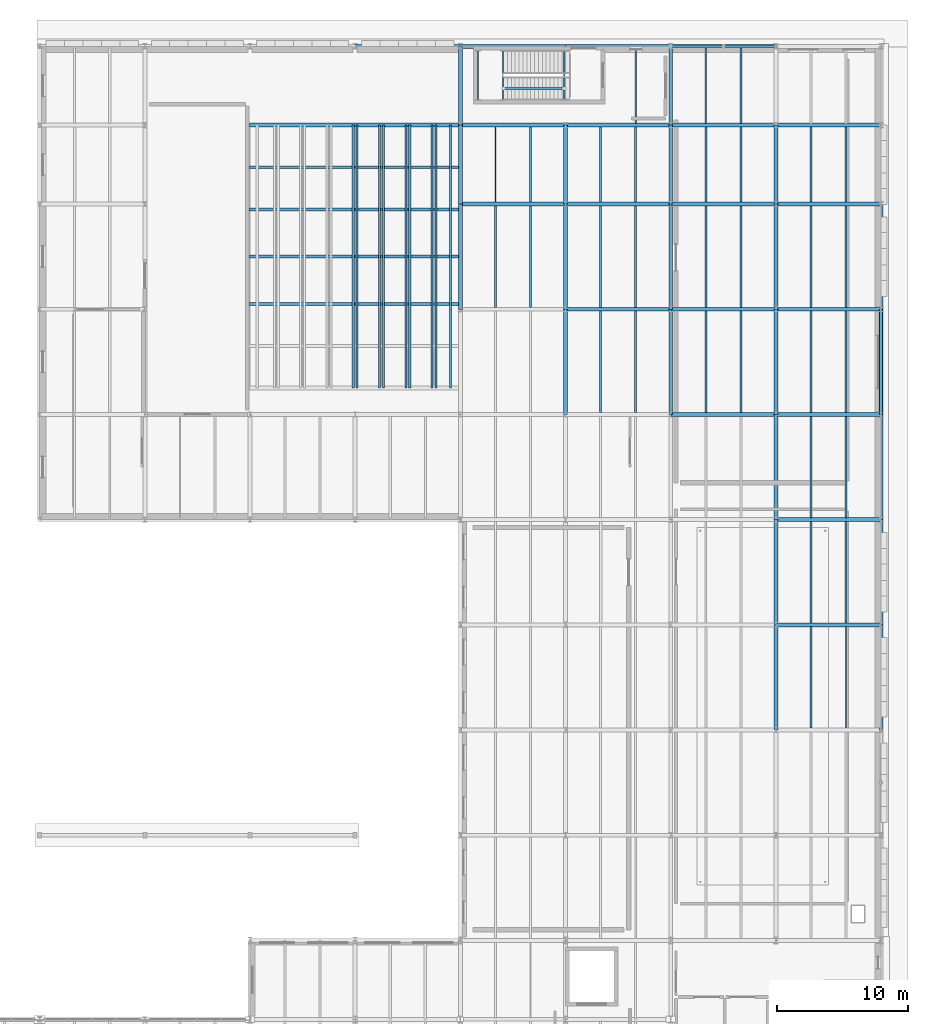
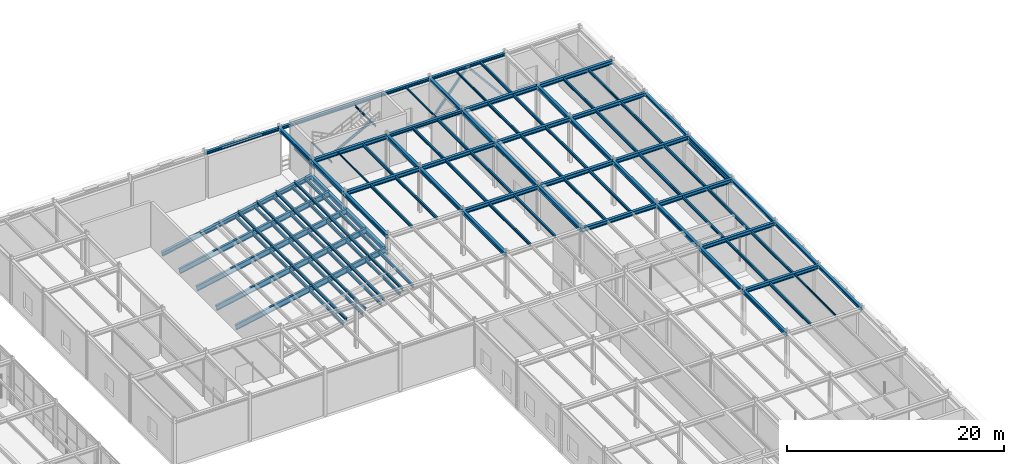
# One storey, part 58 of 129: 91 beams, 3 members.
"""IFC4 building model written with IfcOpenShell, lengths in metres."""

from ifc_helpers import new_model, si_unit, direction, frame, origin, origin_2d, place, context, subcontext, project, spatial, hollow_rectangle, i_section, extrude, material, material_profile, profile_set, type_object, element, save


model = new_model("IFC4")

# Units and contexts
model_context = context("Model", 3, precision=1e-05, world=origin(), true_north=direction((0.0, 1.0)))
body_context = subcontext(model_context, "Body", "Model", "MODEL_VIEW")
ifc_project = project(units=[si_unit("LENGTHUNIT", "METRE"), si_unit("AREAUNIT", "SQUARE_METRE"), si_unit("VOLUMEUNIT", "CUBIC_METRE"), si_unit("PLANEANGLEUNIT", "RADIAN"), si_unit("MASSUNIT", "GRAM", prefix="KILO")], contexts=[model_context])

# Site, building, storey
site_placement = place(None, origin())
site = spatial("IfcSite", under=ifc_project, at=site_placement, CompositionType="ELEMENT")
building_placement = place(site_placement, origin())
building = spatial("IfcBuilding", under=site, at=building_placement, Name="Sundkrona Museum", CompositionType="ELEMENT")
storey_placement = place(building_placement, origin())
storey = spatial("IfcBuildingStorey", under=building, at=storey_placement, Name="L00", CompositionType="ELEMENT", Elevation=0.0)

# Beams
ifc_material = material(Name="Steel S355J2", Category="steel")
ifc_material_profile_1 = material_profile(ifc_material, i_section(OverallWidth=0.300048828125, OverallDepth=0.43994140625, WebThickness=0.011474609375, FlangeThickness=0.02099609375, FilletRadius=0.027099609375, at=origin_2d()), Name="HEA 450")
ifc_profile_set_1 = profile_set([ifc_material_profile_1], Name="Steel S355J2")
beam_type_1 = type_object("IfcBeamType", Name="B-HEA450", PredefinedType="BEAM", material=ifc_profile_set_1)
for number, where, z_axis, x_axis, name in (
    (1, (160.0, 70.0, 4.830078125), (1.0, 0.0, 0.0), (0.0, 1.0, 0.0), "L00 Girder X-0514"),
    (2, (160.0, 78.0, 4.830078125), (1.0, 0.0, 0.0), (0.0, 1.0, 0.0), "L00 Girder X-0534"),
    (3, (152.0, 86.0, 4.830078125), (1.0, 0.0, 0.0), (0.0, 1.0, 0.0), "L00 Girder X-0546"),
    (4, (160.0, 86.0, 4.830078125), (1.0, 0.0, 0.0), (0.0, 1.0, 0.0), "L00 Girder X-0547"),
    (5, (144.0, 94.0, 4.830078125), (1.0, 0.0, 0.0), (0.0, 1.0, 0.0), "L00 Girder X-0562"),
    (6, (152.0, 94.0, 4.830078125), (1.0, 0.0, 0.0), (0.0, 1.0, 0.0), "L00 Girder X-0563"),
    (7, (160.0, 94.0, 4.830078125), (1.0, 0.0, 0.0), (0.0, 1.0, 0.0), "L00 Girder X-0564"),
    (8, (136.0, 102.0, 4.830078125), (1.0, 0.0, 0.0), (0.0, 1.0, 0.0), "L00 Girder X-0578"),
    (9, (144.0, 102.0, 4.830078125), (1.0, 0.0, 0.0), (0.0, 1.0, 0.0), "L00 Girder X-0579"),
    (10, (152.0, 102.0, 4.830078125), (1.0, 0.0, 0.0), (0.0, 1.0, 0.0), "L00 Girder X-0580"),
    (11, (160.0, 102.0, 4.830078125), (1.0, 0.0, 0.0), (0.0, 1.0, 0.0), "L00 Girder X-0581"),
    (12, (136.0, 108.0, 4.830078125), (1.0, 0.0, 0.0), (0.0, 1.0, 0.0), "L00 Girder X-0593"),
    (13, (152.0, 108.0, 4.830078125), (1.0, 0.0, 0.0), (0.0, 1.0, 0.0), "L00 Girder X-0595"),
    (14, (160.0, 108.0, 4.830078125), (1.0, 0.0, 0.0), (0.0, 1.0, 0.0), "L00 Girder X-0596"),
    (15, (136.0, 94.0, 4.830078125), (0.0, 1.0, 0.0), (-1.0, 0.0, 0.0), "L00 Girder Y-0750"),
):
    element("IfcBeam", number, at=place(storey_placement, frame(where, z_axis=z_axis, x_axis=x_axis)), inside=storey, type_object=beam_type_1, Name=name, PredefinedType="BEAM", context=body_context, shape_type="SweptSolid", body=[
        extrude(i_section(OverallWidth=0.300048828125, OverallDepth=0.43994140625, WebThickness=0.011474609375, FlangeThickness=0.02099609375, FilletRadius=0.027099609375, at=origin_2d()), origin(), (0.0, 0.0, 1.0), 8.0),
    ])
for number, where, z_axis, x_axis, name in (
    (16, (136.0, 102.0, 4.830078125), (0.0, 1.0, 0.0), (-1.0, 0.0, 0.0), "L00 Girder Y-0751"),
    (17, (136.0, 108.0, 4.830078125), (0.0, 1.0, 0.0), (-1.0, 0.0, 0.0), "L00 Girder Y-0752"),
):
    element("IfcBeam", number, at=place(storey_placement, frame(where, z_axis=z_axis, x_axis=x_axis)), inside=storey, type_object=beam_type_1, Name=name, PredefinedType="BEAM", context=body_context, shape_type="SweptSolid", body=[
        extrude(i_section(OverallWidth=0.300048828125, OverallDepth=0.43994140625, WebThickness=0.011474609375, FlangeThickness=0.02099609375, FilletRadius=0.027099609375, at=origin_2d()), origin(), (0.0, 0.0, 1.0), 6.0),
    ])
for number, where, z_axis, x_axis, name in (
    (18, (144.0, 86.0, 4.830078125), (0.0, 1.0, 0.0), (-1.0, 0.0, 0.0), "L00 Girder Y-0762"),
    (19, (144.0, 94.0, 4.830078125), (0.0, 1.0, 0.0), (-1.0, 0.0, 0.0), "L00 Girder Y-0763"),
):
    element("IfcBeam", number, at=place(storey_placement, frame(where, z_axis=z_axis, x_axis=x_axis)), inside=storey, type_object=beam_type_1, Name=name, PredefinedType="BEAM", context=body_context, shape_type="SweptSolid", body=[
        extrude(i_section(OverallWidth=0.300048828125, OverallDepth=0.43994140625, WebThickness=0.011474609375, FlangeThickness=0.02099609375, FilletRadius=0.027099609375, at=origin_2d()), origin(), (0.0, 0.0, 1.0), 8.0),
    ])
beam_1_placement = place(storey_placement, frame((144.0, 102.0, 4.830078125), z_axis=(0.0, 1.0, 0.0), x_axis=(-1.0, 0.0, 0.0)))
element("IfcBeam", 20, at=beam_1_placement, inside=storey, type_object=beam_type_1, Name="L00 Girder Y-0764", PredefinedType="BEAM", context=body_context, shape_type="SweptSolid", body=[
    extrude(i_section(OverallWidth=0.300048828125, OverallDepth=0.43994140625, WebThickness=0.011474609375, FlangeThickness=0.02099609375, FilletRadius=0.027099609375, at=origin_2d()), origin(), (0.0, 0.0, 1.0), 6.0),
])
for number, where, z_axis, x_axis, name in (
    (21, (152.0, 86.0, 4.830078125), (0.0, 1.0, 0.0), (-1.0, 0.0, 0.0), "L00 Girder Y-0776"),
    (22, (152.0, 94.0, 4.830078125), (0.0, 1.0, 0.0), (-1.0, 0.0, 0.0), "L00 Girder Y-0777"),
):
    element("IfcBeam", number, at=place(storey_placement, frame(where, z_axis=z_axis, x_axis=x_axis)), inside=storey, type_object=beam_type_1, Name=name, PredefinedType="BEAM", context=body_context, shape_type="SweptSolid", body=[
        extrude(i_section(OverallWidth=0.300048828125, OverallDepth=0.43994140625, WebThickness=0.011474609375, FlangeThickness=0.02099609375, FilletRadius=0.027099609375, at=origin_2d()), origin(), (0.0, 0.0, 1.0), 8.0),
    ])
for number, where, z_axis, x_axis, name in (
    (23, (152.0, 102.0, 4.830078125), (0.0, 1.0, 0.0), (-1.0, 0.0, 0.0), "L00 Girder Y-0778"),
    (24, (152.0, 108.0, 4.830078125), (0.0, 1.0, 0.0), (-1.0, 0.0, 0.0), "L00 Girder Y-0779"),
):
    element("IfcBeam", number, at=place(storey_placement, frame(where, z_axis=z_axis, x_axis=x_axis)), inside=storey, type_object=beam_type_1, Name=name, PredefinedType="BEAM", context=body_context, shape_type="SweptSolid", body=[
        extrude(i_section(OverallWidth=0.300048828125, OverallDepth=0.43994140625, WebThickness=0.011474609375, FlangeThickness=0.02099609375, FilletRadius=0.027099609375, at=origin_2d()), origin(), (0.0, 0.0, 1.0), 6.0),
    ])
for number, where, z_axis, x_axis, name in (
    (25, (160.0, 62.0, 4.830078125), (0.0, 1.0, 0.0), (-1.0, 0.0, 0.0), "L00 Girder Y-0786"),
    (26, (160.0, 70.0, 4.830078125), (0.0, 1.0, 0.0), (-1.0, 0.0, 0.0), "L00 Girder Y-0787"),
    (27, (160.0, 78.0, 4.830078125), (0.0, 1.0, 0.0), (-1.0, 0.0, 0.0), "L00 Girder Y-0788"),
    (28, (160.0, 86.0, 4.830078125), (0.0, 1.0, 0.0), (-1.0, 0.0, 0.0), "L00 Girder Y-0789"),
    (29, (160.0, 94.0, 4.830078125), (0.0, 1.0, 0.0), (-1.0, 0.0, 0.0), "L00 Girder Y-0790"),
):
    element("IfcBeam", number, at=place(storey_placement, frame(where, z_axis=z_axis, x_axis=x_axis)), inside=storey, type_object=beam_type_1, Name=name, PredefinedType="BEAM", context=body_context, shape_type="SweptSolid", body=[
        extrude(i_section(OverallWidth=0.300048828125, OverallDepth=0.43994140625, WebThickness=0.011474609375, FlangeThickness=0.02099609375, FilletRadius=0.027099609375, at=origin_2d()), origin(), (0.0, 0.0, 1.0), 8.0),
    ])
beam_2_placement = place(storey_placement, frame((160.0, 102.0, 4.830078125), z_axis=(0.0, 1.0, 0.0), x_axis=(-1.0, 0.0, 0.0)))
element("IfcBeam", 30, at=beam_2_placement, inside=storey, type_object=beam_type_1, Name="L00 Girder Y-0791", PredefinedType="BEAM", context=body_context, shape_type="SweptSolid", body=[
    extrude(i_section(OverallWidth=0.300048828125, OverallDepth=0.43994140625, WebThickness=0.011474609375, FlangeThickness=0.02099609375, FilletRadius=0.027099609375, at=origin_2d()), origin(), (0.0, 0.0, 1.0), 6.0),
])
ifc_material_profile_2 = material_profile(ifc_material, i_section(OverallWidth=0.300048828125, OverallDepth=0.360107421875, WebThickness=0.012451171875, FlangeThickness=0.0224609375, FilletRadius=0.027099609375, at=origin_2d()), Name="HEB 360")
ifc_profile_set_2 = profile_set([ifc_material_profile_2], Name="Steel S355J2")
beam_type_2 = type_object("IfcBeamType", Name="B-HEB360", PredefinedType="BEAM", material=ifc_profile_set_2)
beam_3_placement = place(storey_placement, frame((144.0, 108.0, 4.8701171875), z_axis=(1.0, 0.0, 0.0), x_axis=(0.0, 1.0, 0.0)))
element("IfcBeam", 31, at=beam_3_placement, inside=storey, type_object=beam_type_2, Name="L00 Girder X-0594", PredefinedType="BEAM", context=body_context, shape_type="SweptSolid", body=[
    extrude(i_section(OverallWidth=0.300048828125, OverallDepth=0.360107421875, WebThickness=0.012451171875, FlangeThickness=0.0224609375, FilletRadius=0.027099609375, at=origin_2d()), origin(), (0.0, 0.0, 1.0), 8.0),
])
ifc_material_profile_3 = material_profile(ifc_material, i_section(OverallWidth=0.300048828125, OverallDepth=0.5, WebThickness=0.014404296875, FlangeThickness=0.028076171875, FilletRadius=0.027099609375, at=origin_2d()), Name="HEB 500")
ifc_profile_set_3 = profile_set([ifc_material_profile_3], Name="Steel S355J2")
beam_type_3 = type_object("IfcBeamType", Name="B-HEB500", PredefinedType="BEAM", material=ifc_profile_set_3)
beam_4_placement = place(storey_placement, frame((136.0, 94.0, 3.050048828125), z_axis=(0.0, 1.0, 0.0), x_axis=(-1.0, 0.0, 0.0)))
element("IfcBeam", 32, at=beam_4_placement, inside=storey, type_object=beam_type_3, Name="RKR-1 Auditorium Rear Raker Support Girder 94", PredefinedType="BEAM", context=body_context, shape_type="SweptSolid", body=[
    extrude(i_section(OverallWidth=0.300048828125, OverallDepth=0.5, WebThickness=0.014404296875, FlangeThickness=0.028076171875, FilletRadius=0.027099609375, at=origin_2d()), origin(), (0.0, 0.0, 1.0), 8.0),
])
beam_5_placement = place(storey_placement, frame((136.0, 102.0, 3.050048828125), z_axis=(0.0, 1.0, 0.0), x_axis=(-1.0, 0.0, 0.0)))
element("IfcBeam", 33, at=beam_5_placement, inside=storey, type_object=beam_type_3, Name="RKR-1 Auditorium Rear Raker Support Girder 102", PredefinedType="BEAM", context=body_context, shape_type="SweptSolid", body=[
    extrude(i_section(OverallWidth=0.300048828125, OverallDepth=0.5, WebThickness=0.014404296875, FlangeThickness=0.028076171875, FilletRadius=0.027099609375, at=origin_2d()), origin(), (0.0, 0.0, 1.0), 6.0),
])

# Members
ifc_material_profile_4 = material_profile(ifc_material, i_section(OverallWidth=0.135009765625, OverallDepth=0.27001953125, WebThickness=0.006591796875, FlangeThickness=0.01025390625, FilletRadius=0.014892578125, at=origin_2d()), Name="IPE 270")
ifc_profile_set_4 = profile_set([ifc_material_profile_4], Name="Steel S355J2")
member_type_1 = type_object("IfcMemberType", Name="BR-IPE270", PredefinedType="BRACE", material=ifc_profile_set_4)
member_placement = place(storey_placement, frame((139.284912109375, 110.800048828125, 2.3798828125), z_axis=(0.884492571905, 0.0, 0.466554273632), x_axis=(0.0, 1.0, 0.0)))
element("IfcMember", 34, at=member_placement, inside=storey, type_object=member_type_1, Name="SRK-1 L00 ST-5 Flight 2 Inclined Carriage Raker", PredefinedType="BRACE", context=body_context, shape_type="SweptSolid", body=[
    extrude(i_section(OverallWidth=0.135009765625, OverallDepth=0.27001953125, WebThickness=0.006591796875, FlangeThickness=0.01025390625, FilletRadius=0.014892578125, at=origin_2d()), origin(), (0.0, 0.0, 1.0), 5.2177734375),
])
ifc_material_profile_5 = material_profile(ifc_material, hollow_rectangle(XDim=0.199951171875, YDim=0.199951171875, WallThickness=0.010009765625, at=origin_2d()), Name="SHS 200x200x10.0")
ifc_profile_set_5 = profile_set([ifc_material_profile_5], Name="Steel S355J2")
member_type_2 = type_object("IfcMemberType", Name="BR-SHS200", PredefinedType="BRACE", material=ifc_profile_set_5)
for number, where, z_axis, x_axis, name in (
    (35, (152.0, 114.0, 0.0), (0.637822630938, 0.0, 0.770183284331), (0.0, 1.0, 0.0), "CBR-1 L00 Concentric Chevron Brace 030A"),
    (36, (160.0, 114.0, 0.0), (-0.637822630938, 0.0, 0.770183284331), (0.0, -1.0, 0.0), "CBR-1 L00 Concentric Chevron Brace 030B"),
):
    element("IfcMember", number, at=place(storey_placement, frame(where, z_axis=z_axis, x_axis=x_axis)), inside=storey, type_object=member_type_2, Name=name, PredefinedType="BRACE", context=body_context, shape_type="SweptSolid", body=[
        extrude(hollow_rectangle(XDim=0.199951171875, YDim=0.199951171875, WallThickness=0.010009765625, at=origin_2d()), origin(), (0.0, 0.0, 1.0), 6.271240234375),
    ])

# Beams
ifc_material_profile_6 = material_profile(ifc_material, i_section(OverallWidth=0.091064453125, OverallDepth=0.179931640625, WebThickness=0.00537109375, FlangeThickness=0.008056640625, FilletRadius=0.009033203125, at=origin_2d()), Name="IPE 180")
ifc_profile_set_6 = profile_set([ifc_material_profile_6], Name="Steel S355J2")
beam_type_4 = type_object("IfcBeamType", Name="J-IPE180", PredefinedType="JOIST", material=ifc_profile_set_6)
beam_6_placement = place(storey_placement, frame((138.666748046875, 102.14404296875, 4.9599609375), z_axis=(0.0, 1.0, 0.0), x_axis=(-1.0, 0.0, 0.0)))
element("IfcBeam", 37, at=beam_6_placement, inside=storey, type_object=beam_type_4, Name="L00 Composite Joist 0495", PredefinedType="JOIST", context=body_context, shape_type="SweptSolid", body=[
    extrude(i_section(OverallWidth=0.091064453125, OverallDepth=0.179931640625, WebThickness=0.00537109375, FlangeThickness=0.008056640625, FilletRadius=0.009033203125, at=origin_2d()), origin(), (0.0, 0.0, 1.0), 5.7119140625),
])
ifc_material_profile_7 = material_profile(ifc_material, i_section(OverallWidth=0.10009765625, OverallDepth=0.199951171875, WebThickness=0.005615234375, FlangeThickness=0.008544921875, FilletRadius=0.011962890625, at=origin_2d()), Name="IPE 200")
ifc_profile_set_7 = profile_set([ifc_material_profile_7], Name="Steel S355J2")
beam_type_5 = type_object("IfcBeamType", Name="J-IPE200", PredefinedType="JOIST", material=ifc_profile_set_7)
beam_7_placement = place(storey_placement, frame((149.333251953125, 108.14404296875, 4.949951171875), z_axis=(0.0, 1.0, 0.0), x_axis=(-1.0, 0.0, 0.0)))
element("IfcBeam", 38, at=beam_7_placement, inside=storey, type_object=beam_type_5, Name="L00 Composite Joist 0520", PredefinedType="JOIST", context=body_context, shape_type="SweptSolid", body=[
    extrude(i_section(OverallWidth=0.10009765625, OverallDepth=0.199951171875, WebThickness=0.005615234375, FlangeThickness=0.008544921875, FilletRadius=0.011962890625, at=origin_2d()), origin(), (0.0, 0.0, 1.0), 5.7119140625),
])
beam_8_placement = place(storey_placement, frame((165.333251953125, 62.14404296875, 4.949951171875), z_axis=(0.0, 1.0, 0.0), x_axis=(-1.0, 0.0, 0.0)))
element("IfcBeam", 39, at=beam_8_placement, inside=storey, type_object=beam_type_5, Name="L00 Composite Joist 0560", PredefinedType="JOIST", context=body_context, shape_type="SweptSolid", body=[
    extrude(i_section(OverallWidth=0.10009765625, OverallDepth=0.199951171875, WebThickness=0.005615234375, FlangeThickness=0.008544921875, FilletRadius=0.011962890625, at=origin_2d()), origin(), (0.0, 0.0, 1.0), 7.7119140625),
])
for number, where, z_axis, x_axis, name in (
    (40, (137.339599609375, 109.909912109375, 2.3798828125), (0.0, 1.0, 0.0), (-1.0, 0.0, 0.0), "L00 ST-5 Mid-Landing Trimmer Beam 1A"),
    (41, (139.245361328125, 109.909912109375, 2.3798828125), (0.0, 1.0, 0.0), (-1.0, 0.0, 0.0), "L00 ST-5 Mid-Landing Trimmer Beam 1B"),
    (42, (143.89990234375, 109.909912109375, 4.814208984375), (0.0, 1.0, 0.0), (-1.0, 0.0, 0.0), "L00 ST-5 Flight 2 Arrival Header Beam"),
):
    element("IfcBeam", number, at=place(storey_placement, frame(where, z_axis=z_axis, x_axis=x_axis)), inside=storey, type_object=beam_type_5, Name=name, PredefinedType="JOIST", context=body_context, shape_type="SweptSolid", body=[
        extrude(i_section(OverallWidth=0.10009765625, OverallDepth=0.199951171875, WebThickness=0.005615234375, FlangeThickness=0.008544921875, FilletRadius=0.011962890625, at=origin_2d()), origin(), (0.0, 0.0, 1.0), 3.780029296875),
    ])
ifc_material_profile_8 = material_profile(ifc_material, i_section(OverallWidth=0.1201171875, OverallDepth=0.239990234375, WebThickness=0.006103515625, FlangeThickness=0.009765625, FilletRadius=0.014892578125, at=origin_2d()), Name="IPE 240")
ifc_profile_set_8 = profile_set([ifc_material_profile_8], Name="Steel S355J2")
beam_type_6 = type_object("IfcBeamType", Name="J-IPE240", PredefinedType="JOIST", material=ifc_profile_set_8)
beam_9_placement = place(storey_placement, frame((154.666748046875, 108.14404296875, 4.929931640625), z_axis=(0.0, 1.0, 0.0), x_axis=(-1.0, 0.0, 0.0)))
element("IfcBeam", 43, at=beam_9_placement, inside=storey, type_object=beam_type_6, Name="L00 Composite Joist 0545", PredefinedType="JOIST", context=body_context, shape_type="SweptSolid", body=[
    extrude(i_section(OverallWidth=0.1201171875, OverallDepth=0.239990234375, WebThickness=0.006103515625, FlangeThickness=0.009765625, FilletRadius=0.014892578125, at=origin_2d()), origin(), (0.0, 0.0, 1.0), 5.7119140625),
])
ifc_material_profile_9 = material_profile(ifc_material, i_section(OverallWidth=0.135009765625, OverallDepth=0.27001953125, WebThickness=0.006591796875, FlangeThickness=0.01025390625, FilletRadius=0.014892578125, at=origin_2d()), Name="IPE 270")
ifc_profile_set_9 = profile_set([ifc_material_profile_9], Name="Steel S355J2")
beam_type_7 = type_object("IfcBeamType", Name="J-IPE270", PredefinedType="JOIST", material=ifc_profile_set_9)
beam_10_placement = place(storey_placement, frame((165.333251953125, 102.14404296875, 4.9150390625), z_axis=(0.0, 1.0, 0.0), x_axis=(-1.0, 0.0, 0.0)))
element("IfcBeam", 44, at=beam_10_placement, inside=storey, type_object=beam_type_7, Name="L00 Composite Joist 0570", PredefinedType="JOIST", context=body_context, shape_type="SweptSolid", body=[
    extrude(i_section(OverallWidth=0.135009765625, OverallDepth=0.27001953125, WebThickness=0.006591796875, FlangeThickness=0.01025390625, FilletRadius=0.014892578125, at=origin_2d()), origin(), (0.0, 0.0, 1.0), 5.7119140625),
])
ifc_material_profile_10 = material_profile(ifc_material, i_section(OverallWidth=0.14990234375, OverallDepth=0.300048828125, WebThickness=0.007080078125, FlangeThickness=0.0107421875, FilletRadius=0.014892578125, at=origin_2d()), Name="IPE 300")
ifc_profile_set_10 = profile_set([ifc_material_profile_10], Name="Steel S355J2")
beam_type_8 = type_object("IfcBeamType", Name="J-IPE300", PredefinedType="JOIST", material=ifc_profile_set_10)
beam_11_placement = place(storey_placement, frame((149.333251953125, 86.14404296875, 4.89990234375), z_axis=(0.0, 1.0, 0.0), x_axis=(-1.0, 0.0, 0.0)))
element("IfcBeam", 45, at=beam_11_placement, inside=storey, type_object=beam_type_8, Name="L00 Composite Joist 0515", PredefinedType="JOIST", context=body_context, shape_type="SweptSolid", body=[
    extrude(i_section(OverallWidth=0.14990234375, OverallDepth=0.300048828125, WebThickness=0.007080078125, FlangeThickness=0.0107421875, FilletRadius=0.014892578125, at=origin_2d()), origin(), (0.0, 0.0, 1.0), 7.7119140625),
])
ifc_material_profile_11 = material_profile(ifc_material, i_section(OverallWidth=0.159912109375, OverallDepth=0.330078125, WebThickness=0.007568359375, FlangeThickness=0.011474609375, FilletRadius=0.01806640625, at=origin_2d()), Name="IPE 330")
ifc_profile_set_11 = profile_set([ifc_material_profile_11], Name="Steel S355J2")
beam_type_9 = type_object("IfcBeamType", Name="J-IPE330", PredefinedType="JOIST", material=ifc_profile_set_11)
for number, where, z_axis, x_axis, name in (
    (46, (138.666748046875, 94.14404296875, 4.885009765625), (0.0, 1.0, 0.0), (-1.0, 0.0, 0.0), "L00 Composite Joist 0493"),
    (47, (141.333251953125, 94.14404296875, 4.885009765625), (0.0, 1.0, 0.0), (-1.0, 0.0, 0.0), "L00 Composite Joist 0494"),
):
    element("IfcBeam", number, at=place(storey_placement, frame(where, z_axis=z_axis, x_axis=x_axis)), inside=storey, type_object=beam_type_9, Name=name, PredefinedType="JOIST", context=body_context, shape_type="SweptSolid", body=[
        extrude(i_section(OverallWidth=0.159912109375, OverallDepth=0.330078125, WebThickness=0.007568359375, FlangeThickness=0.011474609375, FilletRadius=0.01806640625, at=origin_2d()), origin(), (0.0, 0.0, 1.0), 7.7119140625),
    ])
beam_12_placement = place(storey_placement, frame((141.333251953125, 102.14404296875, 4.885009765625), z_axis=(0.0, 1.0, 0.0), x_axis=(-1.0, 0.0, 0.0)))
element("IfcBeam", 48, at=beam_12_placement, inside=storey, type_object=beam_type_9, Name="L00 Composite Joist 0496", PredefinedType="JOIST", context=body_context, shape_type="SweptSolid", body=[
    extrude(i_section(OverallWidth=0.159912109375, OverallDepth=0.330078125, WebThickness=0.007568359375, FlangeThickness=0.011474609375, FilletRadius=0.01806640625, at=origin_2d()), origin(), (0.0, 0.0, 1.0), 5.7119140625),
])
for number, where, z_axis, x_axis, name in (
    (49, (146.666748046875, 86.14404296875, 4.885009765625), (0.0, 1.0, 0.0), (-1.0, 0.0, 0.0), "L00 Composite Joist 0514"),
    (50, (146.666748046875, 94.14404296875, 4.885009765625), (0.0, 1.0, 0.0), (-1.0, 0.0, 0.0), "L00 Composite Joist 0516"),
    (51, (149.333251953125, 94.14404296875, 4.885009765625), (0.0, 1.0, 0.0), (-1.0, 0.0, 0.0), "L00 Composite Joist 0517"),
):
    element("IfcBeam", number, at=place(storey_placement, frame(where, z_axis=z_axis, x_axis=x_axis)), inside=storey, type_object=beam_type_9, Name=name, PredefinedType="JOIST", context=body_context, shape_type="SweptSolid", body=[
        extrude(i_section(OverallWidth=0.159912109375, OverallDepth=0.330078125, WebThickness=0.007568359375, FlangeThickness=0.011474609375, FilletRadius=0.01806640625, at=origin_2d()), origin(), (0.0, 0.0, 1.0), 7.7119140625),
    ])
for number, where, z_axis, x_axis, name in (
    (52, (146.666748046875, 102.14404296875, 4.885009765625), (0.0, 1.0, 0.0), (-1.0, 0.0, 0.0), "L00 Composite Joist 0518"),
    (53, (149.333251953125, 102.14404296875, 4.885009765625), (0.0, 1.0, 0.0), (-1.0, 0.0, 0.0), "L00 Composite Joist 0519"),
):
    element("IfcBeam", number, at=place(storey_placement, frame(where, z_axis=z_axis, x_axis=x_axis)), inside=storey, type_object=beam_type_9, Name=name, PredefinedType="JOIST", context=body_context, shape_type="SweptSolid", body=[
        extrude(i_section(OverallWidth=0.159912109375, OverallDepth=0.330078125, WebThickness=0.007568359375, FlangeThickness=0.011474609375, FilletRadius=0.01806640625, at=origin_2d()), origin(), (0.0, 0.0, 1.0), 5.7119140625),
    ])
for number, where, z_axis, x_axis, name in (
    (54, (154.666748046875, 86.14404296875, 4.885009765625), (0.0, 1.0, 0.0), (-1.0, 0.0, 0.0), "L00 Composite Joist 0539"),
    (55, (157.333251953125, 86.14404296875, 4.885009765625), (0.0, 1.0, 0.0), (-1.0, 0.0, 0.0), "L00 Composite Joist 0540"),
    (56, (154.666748046875, 94.14404296875, 4.885009765625), (0.0, 1.0, 0.0), (-1.0, 0.0, 0.0), "L00 Composite Joist 0541"),
    (57, (157.333251953125, 94.14404296875, 4.885009765625), (0.0, 1.0, 0.0), (-1.0, 0.0, 0.0), "L00 Composite Joist 0542"),
):
    element("IfcBeam", number, at=place(storey_placement, frame(where, z_axis=z_axis, x_axis=x_axis)), inside=storey, type_object=beam_type_9, Name=name, PredefinedType="JOIST", context=body_context, shape_type="SweptSolid", body=[
        extrude(i_section(OverallWidth=0.159912109375, OverallDepth=0.330078125, WebThickness=0.007568359375, FlangeThickness=0.011474609375, FilletRadius=0.01806640625, at=origin_2d()), origin(), (0.0, 0.0, 1.0), 7.7119140625),
    ])
for number, where, z_axis, x_axis, name in (
    (58, (154.666748046875, 102.14404296875, 4.885009765625), (0.0, 1.0, 0.0), (-1.0, 0.0, 0.0), "L00 Composite Joist 0543"),
    (59, (157.333251953125, 102.14404296875, 4.885009765625), (0.0, 1.0, 0.0), (-1.0, 0.0, 0.0), "L00 Composite Joist 0544"),
    (60, (157.333251953125, 108.14404296875, 4.885009765625), (0.0, 1.0, 0.0), (-1.0, 0.0, 0.0), "L00 Composite Joist 0546"),
):
    element("IfcBeam", number, at=place(storey_placement, frame(where, z_axis=z_axis, x_axis=x_axis)), inside=storey, type_object=beam_type_9, Name=name, PredefinedType="JOIST", context=body_context, shape_type="SweptSolid", body=[
        extrude(i_section(OverallWidth=0.159912109375, OverallDepth=0.330078125, WebThickness=0.007568359375, FlangeThickness=0.011474609375, FilletRadius=0.01806640625, at=origin_2d()), origin(), (0.0, 0.0, 1.0), 5.7119140625),
    ])
for number, where, z_axis, x_axis, name in (
    (61, (162.666748046875, 62.14404296875, 4.885009765625), (0.0, 1.0, 0.0), (-1.0, 0.0, 0.0), "L00 Composite Joist 0559"),
    (62, (162.666748046875, 70.14404296875, 4.885009765625), (0.0, 1.0, 0.0), (-1.0, 0.0, 0.0), "L00 Composite Joist 0561"),
    (63, (165.333251953125, 70.14404296875, 4.885009765625), (0.0, 1.0, 0.0), (-1.0, 0.0, 0.0), "L00 Composite Joist 0562"),
    (64, (162.666748046875, 78.14404296875, 4.885009765625), (0.0, 1.0, 0.0), (-1.0, 0.0, 0.0), "L00 Composite Joist 0563"),
    (65, (165.333251953125, 78.14404296875, 4.885009765625), (0.0, 1.0, 0.0), (-1.0, 0.0, 0.0), "L00 Composite Joist 0564"),
    (66, (165.333251953125, 86.14404296875, 4.885009765625), (0.0, 1.0, 0.0), (-1.0, 0.0, 0.0), "L00 Composite Joist 0566"),
    (67, (162.666748046875, 94.14404296875, 4.885009765625), (0.0, 1.0, 0.0), (-1.0, 0.0, 0.0), "L00 Composite Joist 0567"),
    (68, (165.333251953125, 94.14404296875, 4.885009765625), (0.0, 1.0, 0.0), (-1.0, 0.0, 0.0), "L00 Composite Joist 0568"),
):
    element("IfcBeam", number, at=place(storey_placement, frame(where, z_axis=z_axis, x_axis=x_axis)), inside=storey, type_object=beam_type_9, Name=name, PredefinedType="JOIST", context=body_context, shape_type="SweptSolid", body=[
        extrude(i_section(OverallWidth=0.159912109375, OverallDepth=0.330078125, WebThickness=0.007568359375, FlangeThickness=0.011474609375, FilletRadius=0.01806640625, at=origin_2d()), origin(), (0.0, 0.0, 1.0), 7.7119140625),
    ])
beam_13_placement = place(storey_placement, frame((162.666748046875, 102.14404296875, 4.885009765625), z_axis=(0.0, 1.0, 0.0), x_axis=(-1.0, 0.0, 0.0)))
element("IfcBeam", 69, at=beam_13_placement, inside=storey, type_object=beam_type_9, Name="L00 Composite Joist 0569", PredefinedType="JOIST", context=body_context, shape_type="SweptSolid", body=[
    extrude(i_section(OverallWidth=0.159912109375, OverallDepth=0.330078125, WebThickness=0.007568359375, FlangeThickness=0.011474609375, FilletRadius=0.01806640625, at=origin_2d()), origin(), (0.0, 0.0, 1.0), 5.7119140625),
])
for number, where, z_axis, x_axis, name in (
    (70, (127.85009765625, 88.0, 1.465087890625), (0.0, 1.0, 0.0), (-1.0, 0.0, 0.0), "Auditorium Tier 04 Support Beam"),
    (71, (128.14990234375, 88.0, 1.885009765625), (0.0, 1.0, 0.0), (-1.0, 0.0, 0.0), "Auditorium Tier 05 Support Beam"),
    (72, (129.85009765625, 88.0, 1.885009765625), (0.0, 1.0, 0.0), (-1.0, 0.0, 0.0), "Auditorium Tier 05 Support Beam"),
    (73, (130.14990234375, 88.0, 2.304931640625), (0.0, 1.0, 0.0), (-1.0, 0.0, 0.0), "Auditorium Tier 06 Support Beam"),
    (74, (131.85009765625, 88.0, 2.304931640625), (0.0, 1.0, 0.0), (-1.0, 0.0, 0.0), "Auditorium Tier 06 Support Beam"),
    (75, (132.14990234375, 88.0, 2.72509765625), (0.0, 1.0, 0.0), (-1.0, 0.0, 0.0), "Auditorium Tier 07 Support Beam"),
    (76, (133.85009765625, 88.0, 2.72509765625), (0.0, 1.0, 0.0), (-1.0, 0.0, 0.0), "Auditorium Tier 07 Support Beam"),
    (77, (134.14990234375, 88.0, 3.14501953125), (0.0, 1.0, 0.0), (-1.0, 0.0, 0.0), "Auditorium Tier 08 Support Beam"),
    (78, (135.25, 88.0, 3.14501953125), (0.0, 1.0, 0.0), (-1.0, 0.0, 0.0), "Auditorium Tier 08 Support Beam"),
):
    element("IfcBeam", number, at=place(storey_placement, frame(where, z_axis=z_axis, x_axis=x_axis)), inside=storey, type_object=beam_type_9, Name=name, PredefinedType="JOIST", context=body_context, shape_type="SweptSolid", body=[
        extrude(i_section(OverallWidth=0.159912109375, OverallDepth=0.330078125, WebThickness=0.007568359375, FlangeThickness=0.011474609375, FilletRadius=0.01806640625, at=origin_2d()), origin(), (0.0, 0.0, 1.0), 20.0),
    ])
ifc_material_profile_12 = material_profile(ifc_material, i_section(OverallWidth=0.169921875, OverallDepth=0.360107421875, WebThickness=0.008056640625, FlangeThickness=0.0126953125, FilletRadius=0.01806640625, at=origin_2d()), Name="IPE 360")
ifc_profile_set_12 = profile_set([ifc_material_profile_12], Name="Steel S355J2")
beam_type_10 = type_object("IfcBeamType", Name="J-IPE360", PredefinedType="JOIST", material=ifc_profile_set_12)
beam_14_placement = place(storey_placement, frame((162.666748046875, 86.14404296875, 4.8701171875), z_axis=(0.0, 1.0, 0.0), x_axis=(-1.0, 0.0, 0.0)))
element("IfcBeam", 79, at=beam_14_placement, inside=storey, type_object=beam_type_10, Name="L00 Composite Joist 0565", PredefinedType="JOIST", context=body_context, shape_type="SweptSolid", body=[
    extrude(i_section(OverallWidth=0.169921875, OverallDepth=0.360107421875, WebThickness=0.008056640625, FlangeThickness=0.0126953125, FilletRadius=0.01806640625, at=origin_2d()), origin(), (0.0, 0.0, 1.0), 7.7119140625),
])
ifc_material_profile_13 = material_profile(ifc_material, i_section(OverallWidth=0.239990234375, OverallDepth=0.22998046875, WebThickness=0.007568359375, FlangeThickness=0.011962890625, FilletRadius=0.02099609375, at=origin_2d()), Name="HEA 240")
ifc_profile_set_13 = profile_set([ifc_material_profile_13], Name="Steel S355J2")
beam_type_11 = type_object("IfcBeamType", Name="LN-HEA240", PredefinedType="LINTEL", material=ifc_profile_set_13)
beam_15_placement = place(storey_placement, frame((168.0, 86.0, 4.35009765625), z_axis=(0.0, 1.0, 0.0), x_axis=(-1.0, 0.0, 0.0)))
element("IfcBeam", 80, at=beam_15_placement, inside=storey, type_object=beam_type_11, Name="Loading Dock Shutter Steel Lintel", PredefinedType="LINTEL", context=body_context, shape_type="SweptSolid", body=[
    extrude(i_section(OverallWidth=0.239990234375, OverallDepth=0.22998046875, WebThickness=0.007568359375, FlangeThickness=0.011962890625, FilletRadius=0.02099609375, at=origin_2d()), origin(), (0.0, 0.0, 1.0), 8.0),
])
ifc_material_profile_14 = material_profile(ifc_material, i_section(OverallWidth=0.300048828125, OverallDepth=0.449951171875, WebThickness=0.013916015625, FlangeThickness=0.02587890625, FilletRadius=0.027099609375, at=origin_2d()), Name="HEB 450")
ifc_profile_set_14 = profile_set([ifc_material_profile_14], Name="Steel S355J2")
beam_type_12 = type_object("IfcBeamType", Name="RK-HEB450", PredefinedType="USERDEFINED", material=ifc_profile_set_14)
beam_16_placement = place(storey_placement, frame((120.0, 108.0, -0.030029296875), z_axis=(0.980816541287, 0.0, 0.19493309708), x_axis=(0.0, 1.0, 0.0)))
element("IfcBeam", 81, at=beam_16_placement, inside=storey, type_object=beam_type_12, Name="SRK-1 Auditorium Inclined Seating Raker 07", ObjectType="RAKER", PredefinedType="USERDEFINED", context=body_context, shape_type="SweptSolid", body=[
    extrude(i_section(OverallWidth=0.300048828125, OverallDepth=0.449951171875, WebThickness=0.013916015625, FlangeThickness=0.02587890625, FilletRadius=0.027099609375, at=origin_2d()), origin(), (0.0, 0.0, 1.0), 16.31298828125),
])
ifc_material_profile_15 = material_profile(ifc_material, i_section(OverallWidth=0.219970703125, OverallDepth=0.60009765625, WebThickness=0.011962890625, FlangeThickness=0.01904296875, FilletRadius=0.02392578125, at=origin_2d()), Name="IPE 600")
ifc_profile_set_15 = profile_set([ifc_material_profile_15], Name="Steel S355J2")
beam_type_13 = type_object("IfcBeamType", Name="RK-IPE600", PredefinedType="USERDEFINED", material=ifc_profile_set_15)
for number, where, z_axis, x_axis, name in (
    (82, (120.0, 94.39990234375, -0.030029296875), (0.980816541287, 0.0, 0.19493309708), (0.0, 1.0, 0.0), "SRK-1 Auditorium Inclined Seating Raker 03"),
    (83, (120.0, 98.0, -0.030029296875), (0.980816541287, 0.0, 0.19493309708), (0.0, 1.0, 0.0), "SRK-1 Auditorium Inclined Seating Raker 04"),
    (84, (120.0, 101.60009765625, -0.030029296875), (0.980816541287, 0.0, 0.19493309708), (0.0, 1.0, 0.0), "SRK-1 Auditorium Inclined Seating Raker 05"),
    (85, (120.0, 104.800048828125, -0.030029296875), (0.980816541287, 0.0, 0.19493309708), (0.0, 1.0, 0.0), "SRK-1 Auditorium Inclined Seating Raker 06"),
):
    element("IfcBeam", number, at=place(storey_placement, frame(where, z_axis=z_axis, x_axis=x_axis)), inside=storey, type_object=beam_type_13, Name=name, ObjectType="RAKER", PredefinedType="USERDEFINED", context=body_context, shape_type="SweptSolid", body=[
        extrude(i_section(OverallWidth=0.219970703125, OverallDepth=0.60009765625, WebThickness=0.011962890625, FlangeThickness=0.01904296875, FilletRadius=0.02392578125, at=origin_2d()), origin(), (0.0, 0.0, 1.0), 16.31298828125),
    ])
ifc_material_profile_16 = material_profile(ifc_material, i_section(OverallWidth=0.300048828125, OverallDepth=0.320068359375, WebThickness=0.011474609375, FlangeThickness=0.0205078125, FilletRadius=0.027099609375, at=origin_2d()), Name="HEB 320")
ifc_profile_set_16 = profile_set([ifc_material_profile_16], Name="Steel S355J2")
beam_type_14 = type_object("IfcBeamType", Name="SP-HEB320", PredefinedType="SPANDREL", material=ifc_profile_set_16)
for number, where, z_axis, x_axis, name in (
    (86, (128.0, 114.0, 4.889892578125), (1.0, 0.0, 0.0), (0.0, 1.0, 0.0), "L00 Girder X-0610"),
    (87, (136.0, 114.0, 4.889892578125), (1.0, 0.0, 0.0), (0.0, 1.0, 0.0), "L00 Girder X-0611"),
    (88, (144.0, 114.0, 4.889892578125), (1.0, 0.0, 0.0), (0.0, 1.0, 0.0), "L00 Girder X-0612"),
    (89, (152.0, 114.0, 4.889892578125), (1.0, 0.0, 0.0), (0.0, 1.0, 0.0), "L00 Girder X-0613"),
    (90, (168.0, 62.0, 4.889892578125), (0.0, 1.0, 0.0), (-1.0, 0.0, 0.0), "L00 Girder Y-0801"),
    (91, (168.0, 70.0, 4.889892578125), (0.0, 1.0, 0.0), (-1.0, 0.0, 0.0), "L00 Girder Y-0802"),
    (92, (168.0, 78.0, 4.889892578125), (0.0, 1.0, 0.0), (-1.0, 0.0, 0.0), "L00 Girder Y-0803"),
    (93, (168.0, 86.0, 4.889892578125), (0.0, 1.0, 0.0), (-1.0, 0.0, 0.0), "L00 Girder Y-0804"),
    (94, (168.0, 94.0, 4.889892578125), (0.0, 1.0, 0.0), (-1.0, 0.0, 0.0), "L00 Girder Y-0805"),
):
    element("IfcBeam", number, at=place(storey_placement, frame(where, z_axis=z_axis, x_axis=x_axis)), inside=storey, type_object=beam_type_14, Name=name, PredefinedType="SPANDREL", context=body_context, shape_type="SweptSolid", body=[
        extrude(i_section(OverallWidth=0.300048828125, OverallDepth=0.320068359375, WebThickness=0.011474609375, FlangeThickness=0.0205078125, FilletRadius=0.027099609375, at=origin_2d()), origin(), (0.0, 0.0, 1.0), 8.0),
    ])

save(model, "model.ifc")
